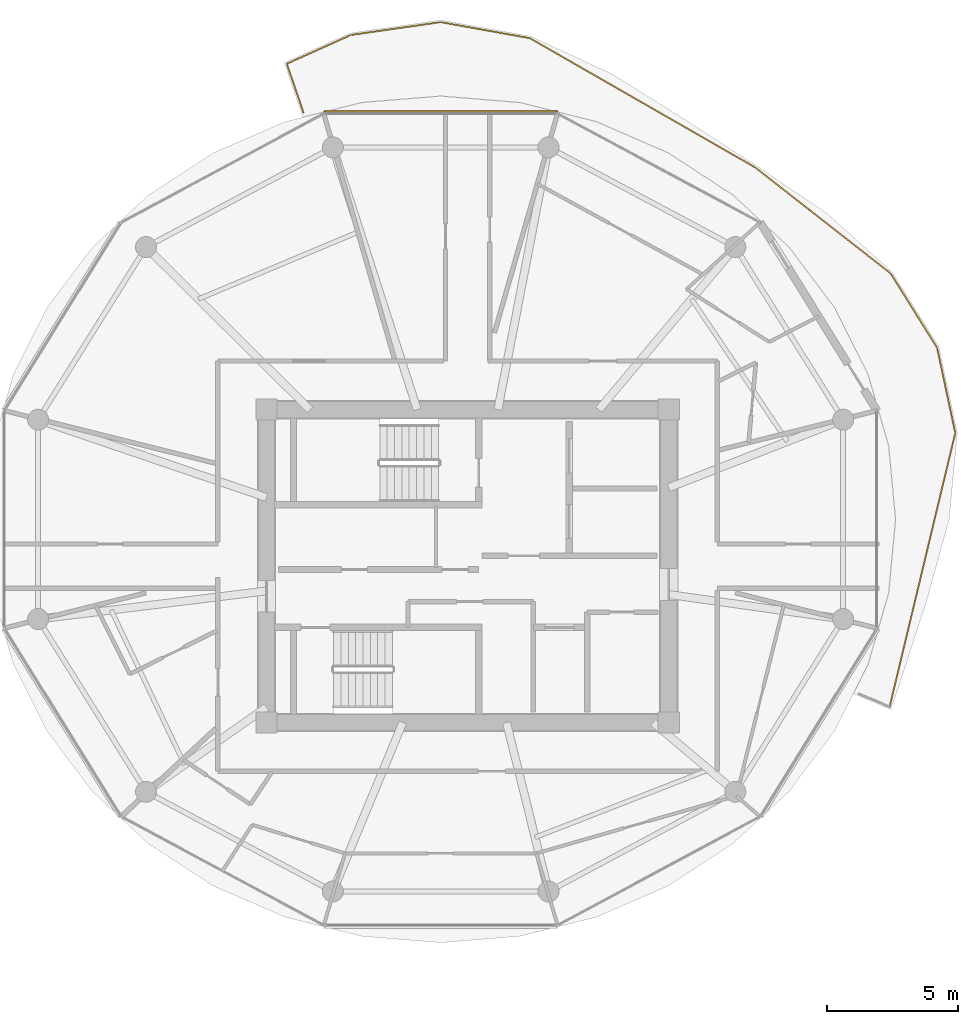
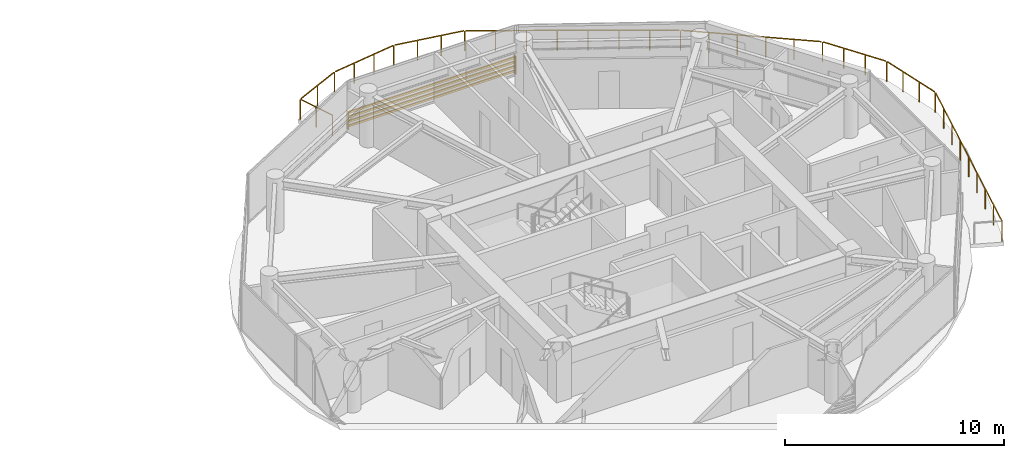
# One storey, part 23 of 23: 1 railing, 1 shading device.
"""IFC4 building model written with IfcOpenShell, lengths in metres."""

import ifcopenshell
import ifcopenshell.guid

model = None  # the IFC model being written
_history = None  # IfcOwnerHistory: only IFC2X3 demands one
_inside = {}  # id of a spatial element -> (the spatial element, [elements in it])
_under = {}  # id of a project, library or spatial element -> (it, [spatial elements below it])
_declared = {}  # id of a project -> (the project, [libraries it declares])
_typed = {}  # id of a type object -> (the type object, [elements of that type])
_made_of = {}  # id of a material, layer set ... -> (it, [elements and type objects made of it])


def new_model(schema):
    """Start an empty IFC model of exactly this schema.

    Asked for "IFC4X3", IfcOpenShell would pick the latest addendum, in which some entities
    have other attributes; the version numbers below select the first issue.
    IFC2X3 requires an IfcOwnerHistory on every rooted entity: one is made here for all.
    """
    global model, _history
    if schema == "IFC4X3":
        model = ifcopenshell.file(schema_version=(4, 3, 0, 0))
    else:
        model = ifcopenshell.file(schema=schema)
    _inside.clear()
    _under.clear()
    _declared.clear()
    _typed.clear()
    _made_of.clear()
    _history = None
    if model.schema == "IFC2X3":
        org = make("IfcOrganization", Name="unknown")
        user = make(
            "IfcPersonAndOrganization",
            ThePerson=make("IfcPerson", FamilyName="unknown"),
            TheOrganization=org,
        )
        app = make(
            "IfcApplication",
            ApplicationDeveloper=org,
            Version="unknown",
            ApplicationFullName="unknown",
            ApplicationIdentifier="unknown",
        )
        _history = make(
            "IfcOwnerHistory",
            OwningUser=user,
            OwningApplication=app,
            ChangeAction="ADDED",
            CreationDate=0,
        )
    return model


def make(cls, **values):
    """One entity of the class cls with the attributes given. An attribute that is None is left unset."""
    return model.create_entity(
        cls, **{name: value for name, value in values.items() if value is not None}
    )


def rooted(cls, **values):
    """An entity with a GlobalId (a new one), such as an element, a storey or a relation."""
    return make(cls, GlobalId=ifcopenshell.guid.new(), OwnerHistory=_history, **values)


def si_unit(unit_type, name, prefix=None):
    """IfcSIUnit, for example si_unit("LENGTHUNIT", "METRE", prefix="MILLI")."""
    return make("IfcSIUnit", UnitType=unit_type, Prefix=prefix, Name=name)


def assignment(units):
    """IfcUnitAssignment: the units of a project."""
    return None if units is None else make("IfcUnitAssignment", Units=units)


def point(xyz):
    """IfcCartesianPoint."""
    return None if xyz is None else make("IfcCartesianPoint", Coordinates=xyz)


def direction(xyz):
    """IfcDirection."""
    return None if xyz is None else make("IfcDirection", DirectionRatios=xyz)


def frame(location, z_axis=None, x_axis=None):
    """IfcAxis2Placement3D, a coordinate frame: its origin and axes. An axis left out is left unset."""
    return make(
        "IfcAxis2Placement3D",
        Location=point(location),
        Axis=direction(z_axis),
        RefDirection=direction(x_axis),
    )


def frame_2d(location, x_axis=None):
    """IfcAxis2Placement2D, a coordinate frame in the plane: its origin and x axis."""
    return make(
        "IfcAxis2Placement2D", Location=point(location), RefDirection=direction(x_axis)
    )


def origin():
    """The frame at (0, 0, 0) with its axes left unset."""
    return frame((0.0, 0.0, 0.0))


def origin_2d():
    """The frame at (0, 0) in the plane with its x axis left unset."""
    return frame_2d((0.0, 0.0))


def place(relative_to, where):
    """IfcLocalPlacement: puts the frame where relative to a parent placement (None: the world)."""
    return make(
        "IfcLocalPlacement", PlacementRelTo=relative_to, RelativePlacement=where
    )


def context(
    kind, dimensions, precision=None, world=None, true_north=None, identifier=None
):
    """IfcGeometricRepresentationContext, for example the 3D "Model" context."""
    return make(
        "IfcGeometricRepresentationContext",
        ContextIdentifier=identifier,
        ContextType=kind,
        CoordinateSpaceDimension=dimensions,
        Precision=precision,
        WorldCoordinateSystem=world,
        TrueNorth=true_north,
    )


def subcontext(parent, identifier, kind, view, scale=None):
    """IfcGeometricRepresentationSubContext, for example "Body" below "Model"."""
    return make(
        "IfcGeometricRepresentationSubContext",
        ContextIdentifier=identifier,
        ContextType=kind,
        ParentContext=parent,
        TargetScale=scale,
        TargetView=view,
    )


def project(units=None, contexts=None):
    """IfcProject with its units and contexts."""
    return rooted(
        "IfcProject",
        Name="project",
        RepresentationContexts=contexts,
        UnitsInContext=assignment(units),
    )


def spatial(cls, under=None, at=None, **own):
    """A site, building, storey or space (cls), placed at a placement, below another one or the project."""
    s = rooted(cls, ObjectPlacement=at, **own)
    if under is not None:
        _under.setdefault(under.id(), (under, []))[1].append(s)
    return s


def profile(cls, at=None, kind="AREA", **sizes):
    """A parametric profile (cls). Its sizes go by their IFC names, for example OverallWidth=200.0."""
    return make(cls, ProfileType=kind, Position=at, **sizes)


def rectangle(**sizes):
    """IfcRectangleProfileDef."""
    return profile("IfcRectangleProfileDef", **sizes)


def extrude(swept, where, along, depth):
    """IfcExtrudedAreaSolid: the profile swept, set in the frame where, extruded along a direction by depth."""
    return make(
        "IfcExtrudedAreaSolid",
        SweptArea=swept,
        Position=where,
        ExtrudedDirection=direction(along),
        Depth=depth,
    )


def shape(context_of_items, identifier, shape_type, items):
    """IfcShapeRepresentation: the items that make up one representation, for example the "Body"."""
    return make(
        "IfcShapeRepresentation",
        ContextOfItems=context_of_items,
        RepresentationIdentifier=identifier,
        RepresentationType=shape_type,
        Items=items,
    )


def source(mapping_origin, context_of_items, identifier, shape_type, items):
    """IfcRepresentationMap: a shape defined once, which mapped items show again and again."""
    return make(
        "IfcRepresentationMap",
        MappingOrigin=mapping_origin,
        MappedRepresentation=shape(context_of_items, identifier, shape_type, items),
    )


def transform(
    local_origin,
    x_axis=None,
    y_axis=None,
    z_axis=None,
    scale=None,
    scale2=None,
    scale3=None,
    uniform=True,
):
    """IfcCartesianTransformationOperator3D, or its non-uniform kind. x_axis, y_axis, z_axis: its Axis1, 2, 3."""
    if uniform:
        return make(
            "IfcCartesianTransformationOperator3D",
            Axis1=direction(x_axis),
            Axis2=direction(y_axis),
            LocalOrigin=point(local_origin),
            Scale=scale,
            Axis3=direction(z_axis),
        )
    return make(
        "IfcCartesianTransformationOperator3DnonUniform",
        Axis1=direction(x_axis),
        Axis2=direction(y_axis),
        LocalOrigin=point(local_origin),
        Scale=scale,
        Axis3=direction(z_axis),
        Scale2=scale2,
        Scale3=scale3,
    )


def mapped(mapping_source, mapping_target):
    """IfcMappedItem: shows the shape of a source again, moved by a transform."""
    return make(
        "IfcMappedItem", MappingSource=mapping_source, MappingTarget=mapping_target
    )


def material(Name=None, Category=None):
    """IfcMaterial."""
    return make("IfcMaterial", Name=Name, Category=Category)


def made_of(thing, what):
    """Note that an element or type object is made of a material, layer set ...; save() writes the relation."""
    if what is not None:
        _made_of.setdefault(what.id(), (what, []))[1].append(thing)
    return thing


def type_object(cls, material=None, **own):
    """A type object (cls), such as IfcWallType, which elements share."""
    return made_of(rooted(cls, **own), material)


def type_shapes(of_type, sources):
    """Give a type object the sources (RepresentationMaps) that its elements show as mapped items."""
    of_type.RepresentationMaps = sources


def element(
    cls,
    number,
    at=None,
    inside=None,
    cuts=None,
    type_object=None,
    material=None,
    context=None,
    identifier="Body",
    shape_type=None,
    held_by="IfcProductDefinitionShape",
    body=None,
    shapes=None,
    **own,
):
    """One element of the class cls, such as IfcWall. Its Tag is "e" and its number.

    at: its placement. inside: the storey or other place that contains it. cuts: it is an
    opening in that element (IfcRelVoidsElement). A single representation is given by context,
    identifier, shape_type and body (its items); several are given by shapes. held_by: the class
    of the entity that holds the representations. save() writes the other relations.
    """
    e = rooted(cls, Tag="e%d" % number, ObjectPlacement=at, **own)
    if body is not None:
        shapes = [shape(context, identifier, shape_type, body)]
    if shapes is not None:
        e.Representation = make(held_by, Representations=shapes)
    if inside is not None:
        _inside.setdefault(inside.id(), (inside, []))[1].append(e)
    if cuts is not None:
        rooted(
            "IfcRelVoidsElement", RelatingBuildingElement=cuts, RelatedOpeningElement=e
        )
    if type_object is not None:
        _typed.setdefault(type_object.id(), (type_object, []))[1].append(e)
    return made_of(e, material)


def aggregate(whole, parts):
    """IfcRelAggregates: a whole, such as a stair, and the parts it consists of."""
    return rooted("IfcRelAggregates", RelatingObject=whole, RelatedObjects=parts)


def save(model, path):
    """Write the relations noted so far, then the file.

    IfcRelAggregates (storeys below a building ...), IfcRelContainedInSpatialStructure (elements
    in a storey), IfcRelDefinesByType, IfcRelAssociatesMaterial and IfcRelDeclares: one each for
    every whole, place, type object, material and project.
    """
    for whole, parts in _under.values():
        aggregate(whole, parts)
    for where, things in _inside.values():
        rooted(
            "IfcRelContainedInSpatialStructure",
            RelatedElements=things,
            RelatingStructure=where,
        )
    for kind, things in _typed.values():
        rooted("IfcRelDefinesByType", RelatedObjects=things, RelatingType=kind)
    for what, things in _made_of.values():
        rooted("IfcRelAssociatesMaterial", RelatedObjects=things, RelatingMaterial=what)
    for by, libraries in _declared.values():
        rooted("IfcRelDeclares", RelatingContext=by, RelatedDefinitions=libraries)
    model.write(path)


model = new_model("IFC4")

# Units and contexts
model_context = context("Model", 3, precision=1e-05, world=origin(), true_north=direction((0.0, 1.0)))
body_context = subcontext(model_context, "Body", "Model", "MODEL_VIEW")
ifc_project = project(units=[si_unit("LENGTHUNIT", "METRE"), si_unit("AREAUNIT", "SQUARE_METRE"), si_unit("VOLUMEUNIT", "CUBIC_METRE"), si_unit("PLANEANGLEUNIT", "RADIAN"), si_unit("MASSUNIT", "GRAM", prefix="KILO")], contexts=[model_context])

# Site, building, storey
site_placement = place(None, origin())
site = spatial("IfcSite", under=ifc_project, at=site_placement, CompositionType="ELEMENT")
building_placement = place(site_placement, origin())
building = spatial("IfcBuilding", under=site, at=building_placement, Name="Norrkilde Senior Care Towers", CompositionType="ELEMENT")
storey_placement = place(building_placement, frame((0.0, 0.0, 173.949951171875)))
storey = spatial("IfcBuildingStorey", under=building, at=storey_placement, Name="L54", CompositionType="ELEMENT", Elevation=173.949951171875)

# Railing
ifc_material_1 = material(Name="Anodised Aluminium", Category="aluminium")
railing_type = type_object("IfcRailingType", Name="Balcony Swirl Ribbon Guardrail 1150", PredefinedType="GUARDRAIL", material=ifc_material_1)
railing_placement = place(storey_placement, frame((21.75390625, 17.263427734375, 0.0)))
element("IfcRailing", 1, at=railing_placement, inside=storey, type_object=railing_type, Name="L54 Perimeter Safety Guard 02", PredefinedType="GUARDRAIL", context=body_context, shape_type="SweptSolid", body=[
    extrude(rectangle(XDim=0.048095703125, YDim=0.048095703125, at=origin_2d()), frame((0.0, 0.0, 1.1259765625), z_axis=(-0.324077514128, 0.946030530605, 0.0), x_axis=(-0.946030530605, -0.324077514128, 0.0)), (0.0, 0.0, 1.0), 1.906494140625),
    extrude(rectangle(XDim=0.048095703125, YDim=0.048095703125, at=origin_2d()), frame((-0.59375, 1.859130859375, 1.1259765625), z_axis=(0.912179590854, 0.409790670989, 0.0), x_axis=(-0.409790670989, 0.912179590854, 0.0)), (0.0, 0.0, 1.0), 2.589111328125),
    extrude(rectangle(XDim=0.048095703125, YDim=0.048095703125, at=origin_2d()), frame((1.845703125, 2.942626953125, 1.1259765625), z_axis=(0.98986012026, 0.142045564233, 0.0), x_axis=(-0.142045564233, 0.98986012026, 0.0)), (0.0, 0.0, 1.0), 3.36767578125),
    extrude(rectangle(XDim=0.048095703125, YDim=0.048095703125, at=origin_2d()), frame((5.260009765625, 3.41943359375, 1.1259765625), z_axis=(0.984151724716, -0.177328460033, 0.0), x_axis=(0.177328460033, 0.984151724716, 0.0)), (0.0, 0.0, 1.0), 3.368408203125),
    extrude(rectangle(XDim=0.048095703125, YDim=0.048095703125, at=origin_2d()), frame((8.650634765625, 2.794677734375, 1.1259765625), z_axis=(0.86743520337, -0.49755016627, 0.0), x_axis=(0.49755016627, 0.86743520337, 0.0)), (0.0, 0.0, 1.0), 9.787841796875),
    extrude(rectangle(XDim=0.048095703125, YDim=0.048095703125, at=origin_2d()), frame((17.208740234375, -2.120849609375, 1.1259765625), z_axis=(0.787693009048, -0.616067953635, 0.0), x_axis=(0.616067953635, 0.787693009048, 0.0)), (0.0, 0.0, 1.0), 6.466064453125),
    extrude(rectangle(XDim=0.048095703125, YDim=0.048095703125, at=origin_2d()), frame((22.35595703125, -6.164306640625, 1.1259765625), z_axis=(0.530110837172, -0.847928358007, 0.0), x_axis=(0.847928358007, 0.530110837172, 0.0)), (0.0, 0.0, 1.0), 3.252197265625),
    extrude(rectangle(XDim=0.048095703125, YDim=0.048095703125, at=origin_2d()), frame((24.110107421875, -8.99658203125, 1.1259765625), z_axis=(0.208765160079, -0.977965801006, 0.0), x_axis=(0.977965801006, 0.208765160079, 0.0)), (0.0, 0.0, 1.0), 3.236083984375),
    extrude(rectangle(XDim=0.048095703125, YDim=0.048095703125, at=origin_2d()), frame((24.78466796875, -12.240966796875, 1.1259765625), z_axis=(-0.23315647733, -0.972439230533, 0.0), x_axis=(0.972439230533, -0.23315647733, 0.0)), (0.0, 0.0, 1.0), 10.665771484375),
    extrude(rectangle(XDim=0.0419921875, YDim=0.0419921875, at=origin_2d()), origin(), (0.0, 0.0, 1.0), 1.099853515625),
    extrude(rectangle(XDim=0.0419921875, YDim=0.0419921875, at=origin_2d()), frame((-0.3154296875, 0.921142578125, 0.0)), (0.0, 0.0, 1.0), 1.099853515625),
    extrude(rectangle(XDim=0.0419921875, YDim=0.0419921875, at=origin_2d()), frame((-0.631103515625, 1.84228515625, 0.0)), (0.0, 0.0, 1.0), 1.099853515625),
    extrude(rectangle(XDim=0.0419921875, YDim=0.0419921875, at=origin_2d()), frame((0.5869140625, 2.3896484375, 0.0)), (0.0, 0.0, 1.0), 1.099853515625),
    extrude(rectangle(XDim=0.0419921875, YDim=0.0419921875, at=origin_2d()), frame((1.80517578125, 2.936767578125, 0.0)), (0.0, 0.0, 1.0), 1.099853515625),
    extrude(rectangle(XDim=0.0419921875, YDim=0.0419921875, at=origin_2d()), frame((2.943359375, 3.10009765625, 0.0)), (0.0, 0.0, 1.0), 1.099853515625),
    extrude(rectangle(XDim=0.0419921875, YDim=0.0419921875, at=origin_2d()), frame((4.08154296875, 3.263427734375, 0.0)), (0.0, 0.0, 1.0), 1.099853515625),
    extrude(rectangle(XDim=0.0419921875, YDim=0.0419921875, at=origin_2d()), frame((5.2197265625, 3.4267578125, 0.0)), (0.0, 0.0, 1.0), 1.099853515625),
    extrude(rectangle(XDim=0.0419921875, YDim=0.0419921875, at=origin_2d()), frame((6.3515625, 3.222900390625, 0.0)), (0.0, 0.0, 1.0), 1.099853515625),
    extrude(rectangle(XDim=0.0419921875, YDim=0.0419921875, at=origin_2d()), frame((7.4833984375, 3.018798828125, 0.0)), (0.0, 0.0, 1.0), 1.099853515625),
    extrude(rectangle(XDim=0.0419921875, YDim=0.0419921875, at=origin_2d()), frame((8.615234375, 2.81494140625, 0.0)), (0.0, 0.0, 1.0), 1.099853515625),
    extrude(rectangle(XDim=0.0419921875, YDim=0.0419921875, at=origin_2d()), frame((9.83837890625, 2.113525390625, 0.0)), (0.0, 0.0, 1.0), 1.099853515625),
    extrude(rectangle(XDim=0.0419921875, YDim=0.0419921875, at=origin_2d()), frame((11.061279296875, 1.411865234375, 0.0)), (0.0, 0.0, 1.0), 1.099853515625),
    extrude(rectangle(XDim=0.0419921875, YDim=0.0419921875, at=origin_2d()), frame((12.284423828125, 0.71044921875, 0.0)), (0.0, 0.0, 1.0), 1.099853515625),
    extrude(rectangle(XDim=0.0419921875, YDim=0.0419921875, at=origin_2d()), frame((13.50732421875, 0.0087890625, 0.0)), (0.0, 0.0, 1.0), 1.099853515625),
    extrude(rectangle(XDim=0.0419921875, YDim=0.0419921875, at=origin_2d()), frame((14.73046875, -0.692626953125, 0.0)), (0.0, 0.0, 1.0), 1.099853515625),
    extrude(rectangle(XDim=0.0419921875, YDim=0.0419921875, at=origin_2d()), frame((15.953369140625, -1.394287109375, 0.0)), (0.0, 0.0, 1.0), 1.099853515625),
    extrude(rectangle(XDim=0.0419921875, YDim=0.0419921875, at=origin_2d()), frame((17.176513671875, -2.095703125, 0.0)), (0.0, 0.0, 1.0), 1.099853515625),
    extrude(rectangle(XDim=0.0419921875, YDim=0.0419921875, at=origin_2d()), frame((18.2080078125, -2.902587890625, 0.0)), (0.0, 0.0, 1.0), 1.099853515625),
    extrude(rectangle(XDim=0.0419921875, YDim=0.0419921875, at=origin_2d()), frame((19.239501953125, -3.709228515625, 0.0)), (0.0, 0.0, 1.0), 1.099853515625),
    extrude(rectangle(XDim=0.0419921875, YDim=0.0419921875, at=origin_2d()), frame((20.271240234375, -4.51611328125, 0.0)), (0.0, 0.0, 1.0), 1.099853515625),
    extrude(rectangle(XDim=0.0419921875, YDim=0.0419921875, at=origin_2d()), frame((21.302734375, -5.32275390625, 0.0)), (0.0, 0.0, 1.0), 1.099853515625),
    extrude(rectangle(XDim=0.0419921875, YDim=0.0419921875, at=origin_2d()), frame((22.334228515625, -6.129638671875, 0.0)), (0.0, 0.0, 1.0), 1.099853515625),
    extrude(rectangle(XDim=0.0419921875, YDim=0.0419921875, at=origin_2d()), frame((22.92333984375, -7.072021484375, 0.0)), (0.0, 0.0, 1.0), 1.099853515625),
    extrude(rectangle(XDim=0.0419921875, YDim=0.0419921875, at=origin_2d()), frame((23.512451171875, -8.01416015625, 0.0)), (0.0, 0.0, 1.0), 1.099853515625),
    extrude(rectangle(XDim=0.0419921875, YDim=0.0419921875, at=origin_2d()), frame((24.1015625, -8.95654296875, 0.0)), (0.0, 0.0, 1.0), 1.099853515625),
    extrude(rectangle(XDim=0.0419921875, YDim=0.0419921875, at=origin_2d()), frame((24.33251953125, -10.0380859375, 0.0)), (0.0, 0.0, 1.0), 1.099853515625),
    extrude(rectangle(XDim=0.0419921875, YDim=0.0419921875, at=origin_2d()), frame((24.563232421875, -11.11962890625, 0.0)), (0.0, 0.0, 1.0), 1.099853515625),
    extrude(rectangle(XDim=0.0419921875, YDim=0.0419921875, at=origin_2d()), frame((24.794189453125, -12.201171875, 0.0)), (0.0, 0.0, 1.0), 1.099853515625),
    extrude(rectangle(XDim=0.0419921875, YDim=0.0419921875, at=origin_2d()), frame((24.482177734375, -13.502685546875, 0.0)), (0.0, 0.0, 1.0), 1.099853515625),
    extrude(rectangle(XDim=0.0419921875, YDim=0.0419921875, at=origin_2d()), frame((24.170166015625, -14.80419921875, 0.0)), (0.0, 0.0, 1.0), 1.099853515625),
    extrude(rectangle(XDim=0.0419921875, YDim=0.0419921875, at=origin_2d()), frame((23.858154296875, -16.10546875, 0.0)), (0.0, 0.0, 1.0), 1.099853515625),
    extrude(rectangle(XDim=0.0419921875, YDim=0.0419921875, at=origin_2d()), frame((23.5458984375, -17.406982421875, 0.0)), (0.0, 0.0, 1.0), 1.099853515625),
    extrude(rectangle(XDim=0.0419921875, YDim=0.0419921875, at=origin_2d()), frame((23.23388671875, -18.70849609375, 0.0)), (0.0, 0.0, 1.0), 1.099853515625),
    extrude(rectangle(XDim=0.0419921875, YDim=0.0419921875, at=origin_2d()), frame((22.921875, -20.009765625, 0.0)), (0.0, 0.0, 1.0), 1.099853515625),
    extrude(rectangle(XDim=0.0419921875, YDim=0.0419921875, at=origin_2d()), frame((22.60986328125, -21.311279296875, 0.0)), (0.0, 0.0, 1.0), 1.099853515625),
    extrude(rectangle(XDim=0.0419921875, YDim=0.0419921875, at=origin_2d()), frame((22.2978515625, -22.61279296875, 0.0)), (0.0, 0.0, 1.0), 1.099853515625),
])

# Shading device
ifc_material_2 = material(Name="Architectural Terracotta", Category="masonry")
shading_device_type = type_object("IfcShadingDeviceType", Name="Horizontal Terracotta Baguette Rack", PredefinedType="USERDEFINED", material=ifc_material_2)
shared_shape = source(origin(), body_context, "Body", "SweptSolid", [
    extrude(rectangle(XDim=0.070068359375, YDim=0.110107421875, at=origin_2d()), frame((0.0, 0.090087890625, 0.125), z_axis=(1.0, 0.0, 0.0), x_axis=(0.0, 1.0, 0.0)), (0.0, 0.0, 1.0), 8.89306640625),
    extrude(rectangle(XDim=0.070068359375, YDim=0.110107421875, at=origin_2d()), frame((0.0, 0.090087890625, 0.375), z_axis=(1.0, 0.0, 0.0), x_axis=(0.0, 1.0, 0.0)), (0.0, 0.0, 1.0), 8.89306640625),
    extrude(rectangle(XDim=0.070068359375, YDim=0.110107421875, at=origin_2d()), frame((0.0, 0.090087890625, 0.625), z_axis=(1.0, 0.0, 0.0), x_axis=(0.0, 1.0, 0.0)), (0.0, 0.0, 1.0), 8.89306640625),
    extrude(rectangle(XDim=0.070068359375, YDim=0.110107421875, at=origin_2d()), frame((0.0, 0.090087890625, 0.875), z_axis=(1.0, 0.0, 0.0), x_axis=(0.0, 1.0, 0.0)), (0.0, 0.0, 1.0), 8.89306640625),
    extrude(rectangle(XDim=0.050048828125, YDim=0.1552734375, at=origin_2d()), frame((0.02490234375, 0.047607421875, 0.0)), (0.0, 0.0, 1.0), 1.0),
    extrude(rectangle(XDim=0.050048828125, YDim=0.1552734375, at=origin_2d()), frame((8.8681640625, 0.047607421875, 0.0)), (0.0, 0.0, 1.0), 1.0),
])
type_shapes(shading_device_type, [shared_shape])
shading_device_placement = place(storey_placement, frame((22.528564453125, 17.2109375, 0.080078125), z_axis=(0.0, 0.0, 1.0), x_axis=(1.0, 0.0, 0.0)))
element("IfcShadingDevice", 2, at=shading_device_placement, inside=storey, type_object=shading_device_type, Name="L54 Drum E Terracotta Baguette Screen 02", ObjectType="BAGUETTE", PredefinedType="USERDEFINED", context=body_context, shape_type="MappedRepresentation", body=[
    mapped(shared_shape, transform((0.0, 0.0, 0.0), x_axis=(1.0, 0.0, 0.0), y_axis=(0.0, 1.0, 0.0), z_axis=(0.0, 0.0, 1.0), scale=1.0)),
])

save(model, "model.ifc")
